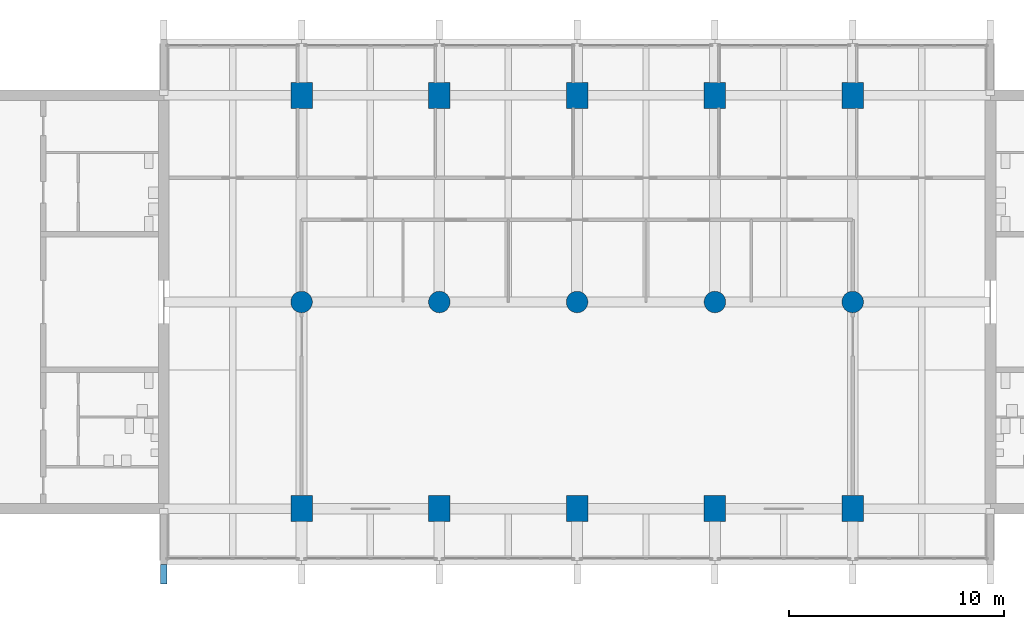
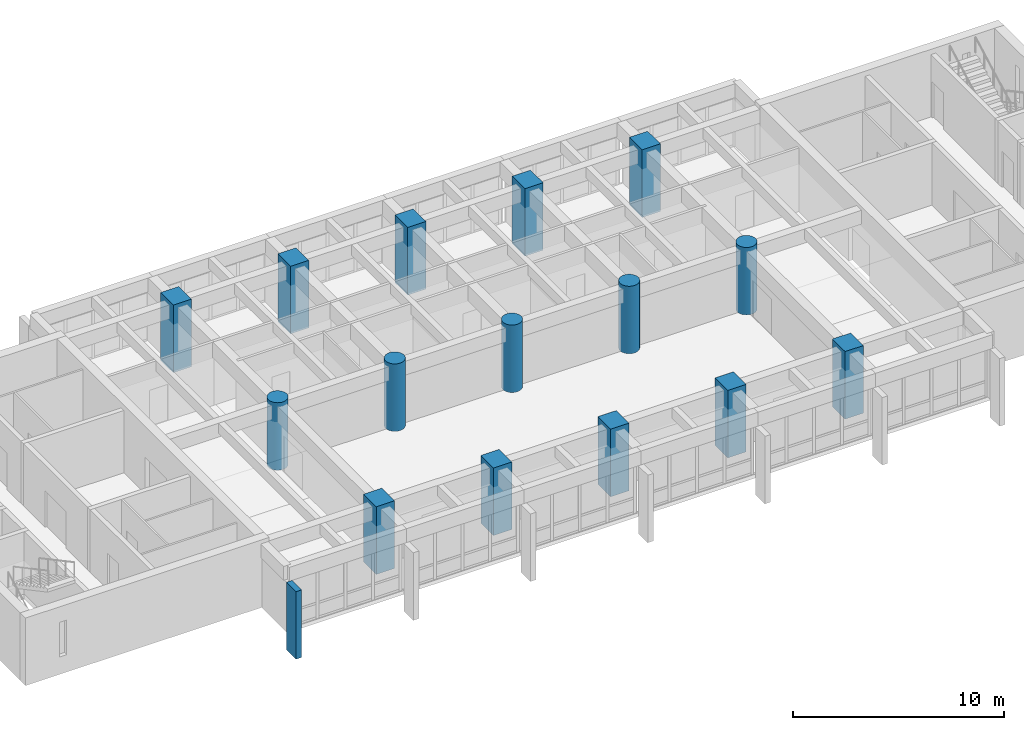
# One storey, part 1 of 15: 15 columns, 1 member.
"""IFC4 building model written with IfcOpenShell, lengths in metres."""

from ifc_helpers import new_model, si_unit, direction, frame, origin, origin_2d, place, context, subcontext, project, spatial, rectangle, circle, extrude, material, material_profile, profile_set, type_object, element, save


model = new_model("IFC4")

# Units and contexts
model_context = context("Model", 3, precision=1e-05, world=origin(), true_north=direction((0.0, 1.0)))
body_context = subcontext(model_context, "Body", "Model", "MODEL_VIEW")
ifc_project = project(units=[si_unit("LENGTHUNIT", "METRE"), si_unit("AREAUNIT", "SQUARE_METRE"), si_unit("VOLUMEUNIT", "CUBIC_METRE"), si_unit("PLANEANGLEUNIT", "RADIAN"), si_unit("MASSUNIT", "GRAM", prefix="KILO")], contexts=[model_context])

# Site, building, storey
site_placement = place(None, origin())
site = spatial("IfcSite", under=ifc_project, at=site_placement, CompositionType="ELEMENT")
building_placement = place(site_placement, origin())
building = spatial("IfcBuilding", under=site, at=building_placement, Name="Fogon Plaza Fire Station and Headquarters Tower", CompositionType="ELEMENT")
storey_placement = place(building_placement, frame((0.0, 0.0, 32.699951171875)))
storey = spatial("IfcBuildingStorey", under=building, at=storey_placement, Name="L08", CompositionType="ELEMENT", Elevation=32.699951171875)

# Columns
ifc_material_1 = material(Name="Concrete C40", Category="concrete")
ifc_material_profile_1 = material_profile(ifc_material_1, rectangle(XDim=1.0, YDim=1.199951171875, at=origin_2d()), Name="RC 1000x1200")
ifc_profile_set_1 = profile_set([ifc_material_profile_1], Name="Concrete C40")
column_type_1 = type_object("IfcColumnType", Name="COLUMN RC 1000x1200", PredefinedType="COLUMN", material=ifc_profile_set_1)
for number, where, z_axis, x_axis, name in (
    (1, (32.0, 33.60009765625, 0.0), (0.0, 0.0, 1.0), (1.0, 0.0, 0.0), "col-L08-4E"),
    (2, (32.0, 52.800048828125, 0.0), (0.0, 0.0, 1.0), (1.0, 0.0, 0.0), "col-L08-4G"),
    (3, (38.39990234375, 33.60009765625, 0.0), (0.0, 0.0, 1.0), (1.0, 0.0, 0.0), "col-L08-5E"),
    (4, (38.39990234375, 52.800048828125, 0.0), (0.0, 0.0, 1.0), (1.0, 0.0, 0.0), "col-L08-5G"),
    (5, (44.800048828125, 33.60009765625, 0.0), (0.0, 0.0, 1.0), (1.0, 0.0, 0.0), "col-L08-6E"),
    (6, (44.800048828125, 52.800048828125, 0.0), (0.0, 0.0, 1.0), (1.0, 0.0, 0.0), "col-L08-6G"),
    (7, (51.199951171875, 33.60009765625, 0.0), (0.0, 0.0, 1.0), (1.0, 0.0, 0.0), "col-L08-7E"),
    (8, (51.199951171875, 52.800048828125, 0.0), (0.0, 0.0, 1.0), (1.0, 0.0, 0.0), "col-L08-7G"),
    (9, (57.60009765625, 33.60009765625, 0.0), (0.0, 0.0, 1.0), (1.0, 0.0, 0.0), "col-L08-8E"),
    (10, (57.60009765625, 52.800048828125, 0.0), (0.0, 0.0, 1.0), (1.0, 0.0, 0.0), "col-L08-8G"),
):
    element("IfcColumn", number, at=place(storey_placement, frame(where, z_axis=z_axis, x_axis=x_axis)), inside=storey, type_object=column_type_1, Name=name, PredefinedType="COLUMN", context=body_context, shape_type="SweptSolid", body=[
        extrude(rectangle(XDim=1.0, YDim=1.199951171875, at=origin_2d()), origin(), (0.0, 0.0, 1.0), 3.900146484375),
    ])
ifc_material_2 = material(Name="Concrete C40", Category="concrete")
ifc_material_profile_2 = material_profile(ifc_material_2, circle(Radius=0.5, at=origin_2d()), Name="RC D1000")
ifc_profile_set_2 = profile_set([ifc_material_profile_2], Name="Concrete C40")
column_type_2 = type_object("IfcColumnType", Name="COLUMN RC D1000", PredefinedType="COLUMN", material=ifc_profile_set_2)
for number, where, z_axis, x_axis, name in (
    (11, (32.0, 43.199951171875, 0.0), (0.0, 0.0, 1.0), (1.0, 0.0, 0.0), "col-L08-4F"),
    (12, (38.39990234375, 43.199951171875, 0.0), (0.0, 0.0, 1.0), (1.0, 0.0, 0.0), "col-L08-5F"),
    (13, (44.800048828125, 43.199951171875, 0.0), (0.0, 0.0, 1.0), (1.0, 0.0, 0.0), "col-L08-6F"),
    (14, (51.199951171875, 43.199951171875, 0.0), (0.0, 0.0, 1.0), (1.0, 0.0, 0.0), "col-L08-7F"),
    (15, (57.60009765625, 43.199951171875, 0.0), (0.0, 0.0, 1.0), (1.0, 0.0, 0.0), "col-L08-8F"),
):
    element("IfcColumn", number, at=place(storey_placement, frame(where, z_axis=z_axis, x_axis=x_axis)), inside=storey, type_object=column_type_2, Name=name, PredefinedType="COLUMN", context=body_context, shape_type="SweptSolid", body=[
        extrude(circle(Radius=0.5, at=origin_2d()), origin(), (0.0, 0.0, 1.0), 3.900146484375),
    ])

# Member
ifc_material_3 = material(Name="Concrete C40 precast", Category="concrete")
ifc_material_profile_3 = material_profile(ifc_material_3, rectangle(XDim=0.300048828125, YDim=0.89990234375, at=origin_2d()), Name="Precast Concrete Post 300x900")
ifc_profile_set_3 = profile_set([ifc_material_profile_3], Name="Concrete C40 precast")
member_type = type_object("IfcMemberType", Name="Precast Concrete Post 300x900", PredefinedType="POST", material=ifc_profile_set_3)
member_placement = place(storey_placement, frame((25.60009765625, 30.550048828125, -1.02001953125), z_axis=(0.0, 0.0, 1.0), x_axis=(1.0, 0.0, 0.0)))
element("IfcMember", 16, at=member_placement, inside=storey, type_object=member_type, Name="Precast Post S L08", PredefinedType="POST", context=body_context, shape_type="SweptSolid", body=[
    extrude(rectangle(XDim=0.300048828125, YDim=0.89990234375, at=origin_2d()), origin(), (0.0, 0.0, 1.0), 3.900146484375),
])

save(model, "model.ifc")
